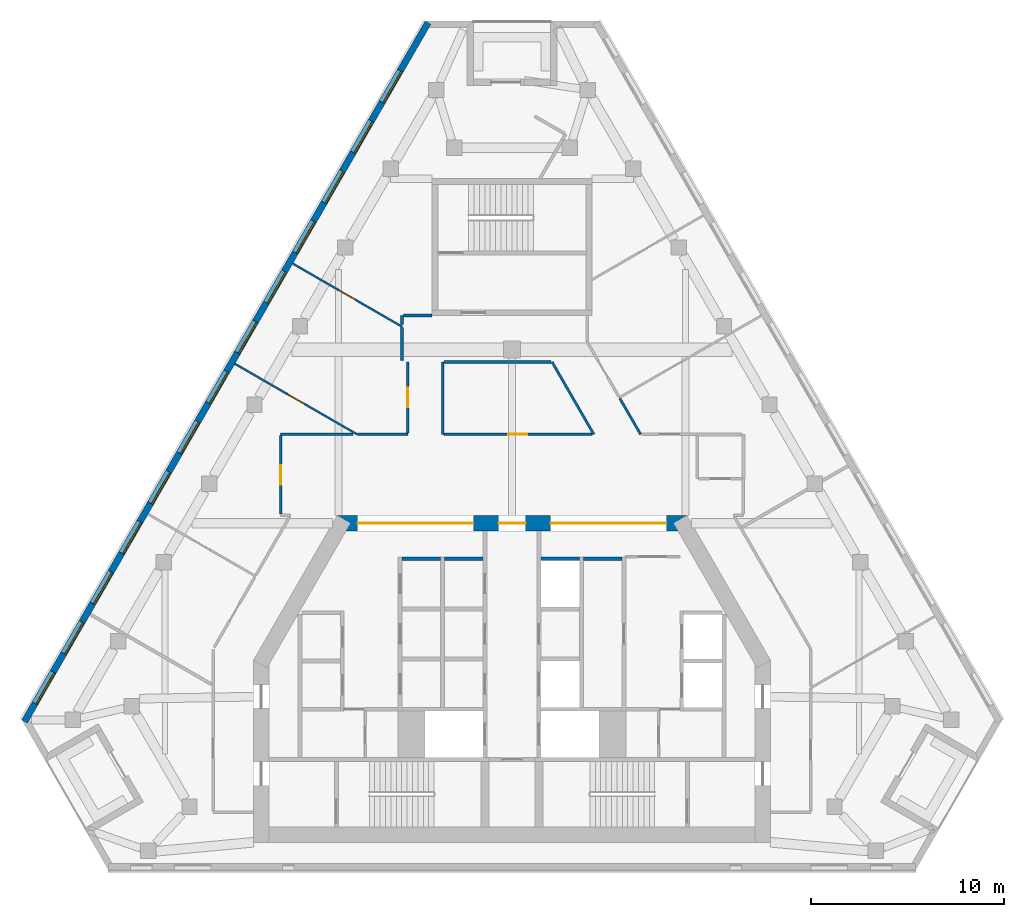
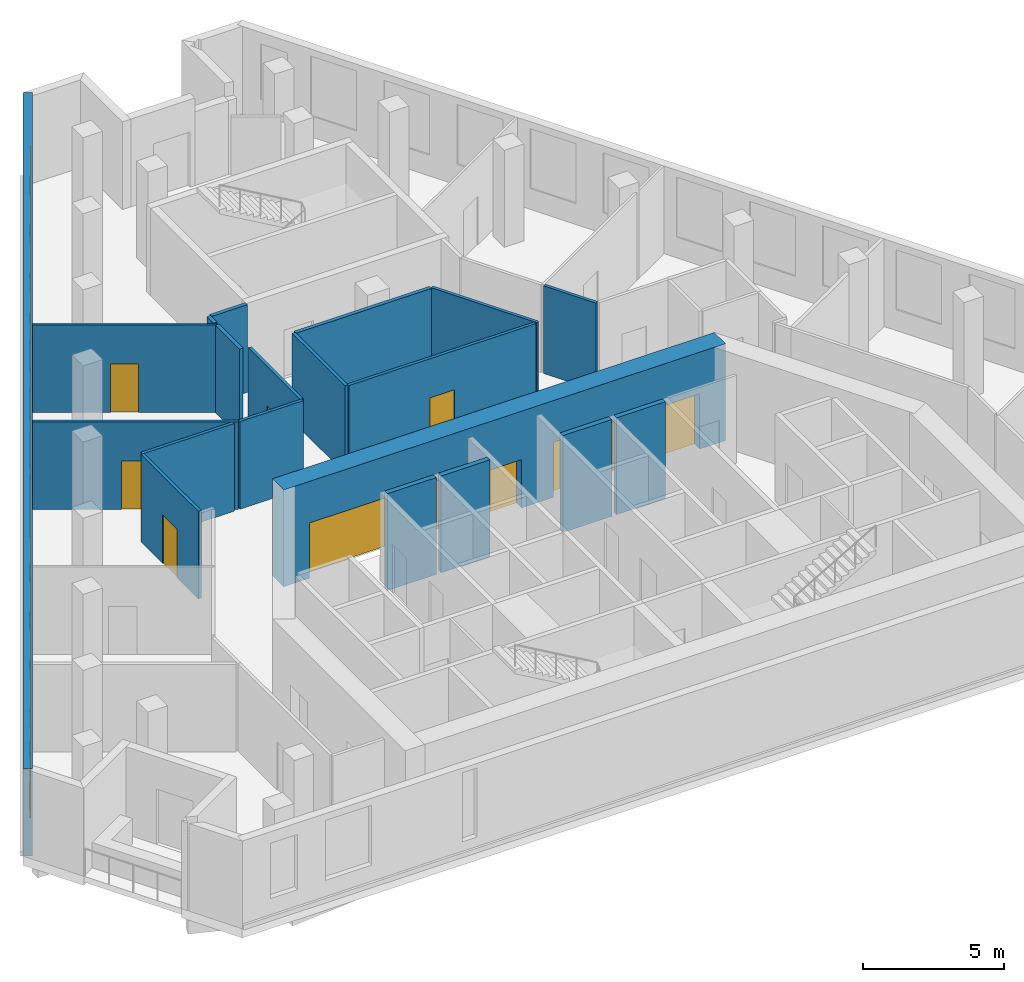
# One storey, part 4 of 9: 20 walls, 13 windows, 8 doors, 21 openings.
"""IFC4 building model written with IfcOpenShell, lengths in metres."""

from ifc_helpers import new_model, si_unit, direction, frame, frame_2d, origin, place, context, subcontext, project, spatial, rectangle, extrude, material, layer, layer_set, type_object, element, fill, save


model = new_model("IFC4")

# Units and contexts
model_context = context("Model", 3, precision=1e-05, world=origin(), true_north=direction((0.0, 1.0)))
body_context = subcontext(model_context, "Body", "Model", "MODEL_VIEW")
ifc_project = project(units=[si_unit("LENGTHUNIT", "METRE"), si_unit("AREAUNIT", "SQUARE_METRE"), si_unit("VOLUMEUNIT", "CUBIC_METRE"), si_unit("PLANEANGLEUNIT", "RADIAN"), si_unit("MASSUNIT", "GRAM", prefix="KILO")], contexts=[model_context])

# Site, building, storey
site_placement = place(None, origin())
site = spatial("IfcSite", under=ifc_project, at=site_placement, CompositionType="ELEMENT")
building_placement = place(site_placement, origin())
building = spatial("IfcBuilding", under=site, at=building_placement, Name="Fogline Exchange Tower", CompositionType="ELEMENT")
storey_placement = place(building_placement, frame((0.0, 0.0, 279.300048828125)))
storey = spatial("IfcBuildingStorey", under=building, at=storey_placement, Name="L63", CompositionType="ELEMENT", Elevation=279.300048828125)

# Walls
ifc_material_1 = material(Name="Concrete C40", Category="concrete")
ifc_layer_1 = layer(ifc_material_1, 0.199951171875)
ifc_layer_set_1 = layer_set([ifc_layer_1], Name="CW20S")
wall_type_1 = type_object("IfcWallType", Name="CW20S", PredefinedType="SOLIDWALL", material=ifc_layer_set_1)
for number, where, z_axis, x_axis, name in (
    (1, (-5.699951171875, 16.14990234375, -0.400146484375), (0.0, 0.0, 1.0), (1.0, 0.0, 0.0), "Lift shaft wall"),
    (2, (-3.5, 16.14990234375, -0.400146484375), (0.0, 0.0, 1.0), (1.0, 0.0, 0.0), "Lift shaft wall"),
    (3, (3.699951171875, 16.14990234375, -0.400146484375), (0.0, 0.0, 1.0), (1.0, 0.0, 0.0), "Lift shaft wall"),
    (4, (1.5, 16.14990234375, -0.400146484375), (0.0, 0.0, 1.0), (1.0, 0.0, 0.0), "Lift shaft wall"),
):
    element("IfcWall", number, at=place(storey_placement, frame(where, z_axis=z_axis, x_axis=x_axis)), inside=storey, type_object=wall_type_1, Name=name, PredefinedType="SOLIDWALL", context=body_context, shape_type="SweptSolid", body=[
        extrude(rectangle(XDim=2.0, YDim=0.199951171875, at=frame_2d((1.0, 0.0))), origin(), (0.0, 0.0, 1.0), 4.2001953125),
    ])

# Wall, openings, windows
ifc_material_2 = material(Name="Brick masonry", Category="masonry")
ifc_layer_2 = layer(ifc_material_2, 0.340087890625)
ifc_layer_set_2 = layer_set([ifc_layer_2], Name="FW1")
wall_type_2 = type_object("IfcWallType", Name="FW1", PredefinedType="SOLIDWALL", material=ifc_layer_set_2)
wall_1_placement = place(storey_placement, frame((-4.352783203125, 43.95166015625, 0.0), z_axis=(0.0, 0.0, 1.0), x_axis=(-0.499999693239, -0.866025580893, 0.0)))
wall_1 = element("IfcWall", 5, at=wall_1_placement, inside=storey, type_object=wall_type_2, Name="Brick wall L63 W", PredefinedType="SOLIDWALL", context=body_context, shape_type="SweptSolid", body=[
    extrude(rectangle(XDim=41.84912109375, YDim=0.340087890625, at=frame_2d((20.924560546875, 0.0))), origin(), (0.0, 0.0, 1.0), 3.800048828125),
])
opening_1_placement = place(wall_1_placement, frame((2.886962890625, 0.0, 0.89990234375)))
opening_1 = element("IfcOpeningElement", 6, at=opening_1_placement, cuts=wall_1, Name="Opening W3", PredefinedType="OPENING", context=body_context, shape_type="SweptSolid", body=[
    extrude(rectangle(XDim=1.885009765625, YDim=2.60009765625, at=frame_2d((0.9423828125, 1.300048828125))), frame((0.0, 0.18017578125, 0.0), z_axis=(0.0, -1.0, 0.0), x_axis=(1.0, 0.0, 0.0)), (0.0, 0.0, 1.0), 0.360107421875),
])
opening_2_placement = place(wall_1_placement, frame((5.886962890625, 0.0, 0.89990234375)))
opening_2 = element("IfcOpeningElement", 7, at=opening_2_placement, cuts=wall_1, Name="Opening W3", PredefinedType="OPENING", context=body_context, shape_type="SweptSolid", body=[
    extrude(rectangle(XDim=1.885009765625, YDim=2.60009765625, at=frame_2d((0.9423828125, 1.300048828125))), frame((0.0, 0.18017578125, 0.0), z_axis=(0.0, -1.0, 0.0), x_axis=(1.0, 0.0, 0.0)), (0.0, 0.0, 1.0), 0.360107421875),
])
opening_3_placement = place(wall_1_placement, frame((8.886962890625, 0.0, 0.89990234375)))
opening_3 = element("IfcOpeningElement", 8, at=opening_3_placement, cuts=wall_1, Name="Opening W3", PredefinedType="OPENING", context=body_context, shape_type="SweptSolid", body=[
    extrude(rectangle(XDim=1.885009765625, YDim=2.60009765625, at=frame_2d((0.9423828125, 1.300048828125))), frame((0.0, 0.18017578125, 0.0), z_axis=(0.0, -1.0, 0.0), x_axis=(1.0, 0.0, 0.0)), (0.0, 0.0, 1.0), 0.360107421875),
])
opening_4_placement = place(wall_1_placement, frame((11.886962890625, 0.0, 0.89990234375)))
opening_4 = element("IfcOpeningElement", 9, at=opening_4_placement, cuts=wall_1, Name="Opening W3", PredefinedType="OPENING", context=body_context, shape_type="SweptSolid", body=[
    extrude(rectangle(XDim=1.885009765625, YDim=2.60009765625, at=frame_2d((0.9423828125, 1.300048828125))), frame((0.0, 0.18017578125, 0.0), z_axis=(0.0, -1.0, 0.0), x_axis=(1.0, 0.0, 0.0)), (0.0, 0.0, 1.0), 0.360107421875),
])
opening_5_placement = place(wall_1_placement, frame((14.886962890625, 0.0, 0.89990234375)))
opening_5 = element("IfcOpeningElement", 10, at=opening_5_placement, cuts=wall_1, Name="Opening W3", PredefinedType="OPENING", context=body_context, shape_type="SweptSolid", body=[
    extrude(rectangle(XDim=1.885009765625, YDim=2.60009765625, at=frame_2d((0.9423828125, 1.300048828125))), frame((0.0, 0.18017578125, 0.0), z_axis=(0.0, -1.0, 0.0), x_axis=(1.0, 0.0, 0.0)), (0.0, 0.0, 1.0), 0.360107421875),
])
opening_6_placement = place(wall_1_placement, frame((17.886962890625, 0.0, 0.89990234375)))
opening_6 = element("IfcOpeningElement", 11, at=opening_6_placement, cuts=wall_1, Name="Opening W3", PredefinedType="OPENING", context=body_context, shape_type="SweptSolid", body=[
    extrude(rectangle(XDim=1.885009765625, YDim=2.60009765625, at=frame_2d((0.9423828125, 1.300048828125))), frame((0.0, 0.18017578125, 0.0), z_axis=(0.0, -1.0, 0.0), x_axis=(1.0, 0.0, 0.0)), (0.0, 0.0, 1.0), 0.360107421875),
])
opening_7_placement = place(wall_1_placement, frame((20.886962890625, 0.0, 0.89990234375)))
opening_7 = element("IfcOpeningElement", 12, at=opening_7_placement, cuts=wall_1, Name="Opening W3", PredefinedType="OPENING", context=body_context, shape_type="SweptSolid", body=[
    extrude(rectangle(XDim=1.885009765625, YDim=2.60009765625, at=frame_2d((0.9423828125, 1.300048828125))), frame((0.0, 0.18017578125, 0.0), z_axis=(0.0, -1.0, 0.0), x_axis=(1.0, 0.0, 0.0)), (0.0, 0.0, 1.0), 0.360107421875),
])
opening_8_placement = place(wall_1_placement, frame((23.886962890625, 0.0, 0.89990234375)))
opening_8 = element("IfcOpeningElement", 13, at=opening_8_placement, cuts=wall_1, Name="Opening W3", PredefinedType="OPENING", context=body_context, shape_type="SweptSolid", body=[
    extrude(rectangle(XDim=1.885009765625, YDim=2.60009765625, at=frame_2d((0.9423828125, 1.300048828125))), frame((0.0, 0.18017578125, 0.0), z_axis=(0.0, -1.0, 0.0), x_axis=(1.0, 0.0, 0.0)), (0.0, 0.0, 1.0), 0.360107421875),
])
opening_9_placement = place(wall_1_placement, frame((26.886962890625, 0.0, 0.89990234375)))
opening_9 = element("IfcOpeningElement", 14, at=opening_9_placement, cuts=wall_1, Name="Opening W3", PredefinedType="OPENING", context=body_context, shape_type="SweptSolid", body=[
    extrude(rectangle(XDim=1.885009765625, YDim=2.60009765625, at=frame_2d((0.9423828125, 1.300048828125))), frame((0.0, 0.18017578125, 0.0), z_axis=(0.0, -1.0, 0.0), x_axis=(1.0, 0.0, 0.0)), (0.0, 0.0, 1.0), 0.360107421875),
])
opening_10_placement = place(wall_1_placement, frame((29.886962890625, 0.0, 0.89990234375)))
opening_10 = element("IfcOpeningElement", 15, at=opening_10_placement, cuts=wall_1, Name="Opening W3", PredefinedType="OPENING", context=body_context, shape_type="SweptSolid", body=[
    extrude(rectangle(XDim=1.885009765625, YDim=2.60009765625, at=frame_2d((0.9423828125, 1.300048828125))), frame((0.0, 0.18017578125, 0.0), z_axis=(0.0, -1.0, 0.0), x_axis=(1.0, 0.0, 0.0)), (0.0, 0.0, 1.0), 0.360107421875),
])
opening_11_placement = place(wall_1_placement, frame((32.886962890625, 0.0, 0.89990234375)))
opening_11 = element("IfcOpeningElement", 16, at=opening_11_placement, cuts=wall_1, Name="Opening W3", PredefinedType="OPENING", context=body_context, shape_type="SweptSolid", body=[
    extrude(rectangle(XDim=1.885009765625, YDim=2.60009765625, at=frame_2d((0.9423828125, 1.300048828125))), frame((0.0, 0.18017578125, 0.0), z_axis=(0.0, -1.0, 0.0), x_axis=(1.0, 0.0, 0.0)), (0.0, 0.0, 1.0), 0.360107421875),
])
opening_12_placement = place(wall_1_placement, frame((35.886962890625, 0.0, 0.89990234375)))
opening_12 = element("IfcOpeningElement", 17, at=opening_12_placement, cuts=wall_1, Name="Opening W3", PredefinedType="OPENING", context=body_context, shape_type="SweptSolid", body=[
    extrude(rectangle(XDim=1.885009765625, YDim=2.60009765625, at=frame_2d((0.9423828125, 1.300048828125))), frame((0.0, 0.18017578125, 0.0), z_axis=(0.0, -1.0, 0.0), x_axis=(1.0, 0.0, 0.0)), (0.0, 0.0, 1.0), 0.360107421875),
])
opening_13_placement = place(wall_1_placement, frame((38.886962890625, 0.0, 0.89990234375)))
opening_13 = element("IfcOpeningElement", 18, at=opening_13_placement, cuts=wall_1, Name="Opening W3", PredefinedType="OPENING", context=body_context, shape_type="SweptSolid", body=[
    extrude(rectangle(XDim=1.885009765625, YDim=2.60009765625, at=frame_2d((0.9423828125, 1.300048828125))), frame((0.0, 0.18017578125, 0.0), z_axis=(0.0, -1.0, 0.0), x_axis=(1.0, 0.0, 0.0)), (0.0, 0.0, 1.0), 0.360107421875),
])
ifc_material_3 = material(Name="Aluminium and glass", Category="aluminium")
window_type = type_object("IfcWindowType", Name="W3", PartitioningType="SINGLE_PANEL", PredefinedType="WINDOW", material=ifc_material_3)
window_1_placement = place(opening_1_placement, origin())
window_1 = element("IfcWindow", 19, at=window_1_placement, inside=storey, type_object=window_type, Name="W3 W3", OverallHeight=2.60009765625, OverallWidth=1.885009765625, PartitioningType="SINGLE_PANEL", PredefinedType="WINDOW", context=body_context, shape_type="SweptSolid", body=[
    extrude(rectangle(XDim=1.885009765625, YDim=2.60009765625, at=frame_2d((0.9423828125, 1.300048828125))), frame((0.0, 0.110107421875, 0.0), z_axis=(0.0, -1.0, 0.0), x_axis=(1.0, 0.0, 0.0)), (0.0, 0.0, 1.0), 0.06005859375),
])
fill(opening_1, window_1)
window_2_placement = place(opening_2_placement, origin())
window_2 = element("IfcWindow", 20, at=window_2_placement, inside=storey, type_object=window_type, Name="W3 W3", OverallHeight=2.60009765625, OverallWidth=1.885009765625, PartitioningType="SINGLE_PANEL", PredefinedType="WINDOW", context=body_context, shape_type="SweptSolid", body=[
    extrude(rectangle(XDim=1.885009765625, YDim=2.60009765625, at=frame_2d((0.9423828125, 1.300048828125))), frame((0.0, 0.110107421875, 0.0), z_axis=(0.0, -1.0, 0.0), x_axis=(1.0, 0.0, 0.0)), (0.0, 0.0, 1.0), 0.06005859375),
])
fill(opening_2, window_2)
window_3_placement = place(opening_3_placement, origin())
window_3 = element("IfcWindow", 21, at=window_3_placement, inside=storey, type_object=window_type, Name="W3 W3", OverallHeight=2.60009765625, OverallWidth=1.885009765625, PartitioningType="SINGLE_PANEL", PredefinedType="WINDOW", context=body_context, shape_type="SweptSolid", body=[
    extrude(rectangle(XDim=1.885009765625, YDim=2.60009765625, at=frame_2d((0.9423828125, 1.300048828125))), frame((0.0, 0.110107421875, 0.0), z_axis=(0.0, -1.0, 0.0), x_axis=(1.0, 0.0, 0.0)), (0.0, 0.0, 1.0), 0.06005859375),
])
fill(opening_3, window_3)
window_4_placement = place(opening_4_placement, origin())
window_4 = element("IfcWindow", 22, at=window_4_placement, inside=storey, type_object=window_type, Name="W3 W3", OverallHeight=2.60009765625, OverallWidth=1.885009765625, PartitioningType="SINGLE_PANEL", PredefinedType="WINDOW", context=body_context, shape_type="SweptSolid", body=[
    extrude(rectangle(XDim=1.885009765625, YDim=2.60009765625, at=frame_2d((0.9423828125, 1.300048828125))), frame((0.0, 0.110107421875, 0.0), z_axis=(0.0, -1.0, 0.0), x_axis=(1.0, 0.0, 0.0)), (0.0, 0.0, 1.0), 0.06005859375),
])
fill(opening_4, window_4)
window_5_placement = place(opening_5_placement, origin())
window_5 = element("IfcWindow", 23, at=window_5_placement, inside=storey, type_object=window_type, Name="W3 W3", OverallHeight=2.60009765625, OverallWidth=1.885009765625, PartitioningType="SINGLE_PANEL", PredefinedType="WINDOW", context=body_context, shape_type="SweptSolid", body=[
    extrude(rectangle(XDim=1.885009765625, YDim=2.60009765625, at=frame_2d((0.9423828125, 1.300048828125))), frame((0.0, 0.110107421875, 0.0), z_axis=(0.0, -1.0, 0.0), x_axis=(1.0, 0.0, 0.0)), (0.0, 0.0, 1.0), 0.06005859375),
])
fill(opening_5, window_5)
window_6_placement = place(opening_6_placement, origin())
window_6 = element("IfcWindow", 24, at=window_6_placement, inside=storey, type_object=window_type, Name="W3 W3", OverallHeight=2.60009765625, OverallWidth=1.885009765625, PartitioningType="SINGLE_PANEL", PredefinedType="WINDOW", context=body_context, shape_type="SweptSolid", body=[
    extrude(rectangle(XDim=1.885009765625, YDim=2.60009765625, at=frame_2d((0.9423828125, 1.300048828125))), frame((0.0, 0.110107421875, 0.0), z_axis=(0.0, -1.0, 0.0), x_axis=(1.0, 0.0, 0.0)), (0.0, 0.0, 1.0), 0.06005859375),
])
fill(opening_6, window_6)
window_7_placement = place(opening_7_placement, origin())
window_7 = element("IfcWindow", 25, at=window_7_placement, inside=storey, type_object=window_type, Name="W3 W3", OverallHeight=2.60009765625, OverallWidth=1.885009765625, PartitioningType="SINGLE_PANEL", PredefinedType="WINDOW", context=body_context, shape_type="SweptSolid", body=[
    extrude(rectangle(XDim=1.885009765625, YDim=2.60009765625, at=frame_2d((0.9423828125, 1.300048828125))), frame((0.0, 0.110107421875, 0.0), z_axis=(0.0, -1.0, 0.0), x_axis=(1.0, 0.0, 0.0)), (0.0, 0.0, 1.0), 0.06005859375),
])
fill(opening_7, window_7)
window_8_placement = place(opening_8_placement, origin())
window_8 = element("IfcWindow", 26, at=window_8_placement, inside=storey, type_object=window_type, Name="W3 W3", OverallHeight=2.60009765625, OverallWidth=1.885009765625, PartitioningType="SINGLE_PANEL", PredefinedType="WINDOW", context=body_context, shape_type="SweptSolid", body=[
    extrude(rectangle(XDim=1.885009765625, YDim=2.60009765625, at=frame_2d((0.9423828125, 1.300048828125))), frame((0.0, 0.110107421875, 0.0), z_axis=(0.0, -1.0, 0.0), x_axis=(1.0, 0.0, 0.0)), (0.0, 0.0, 1.0), 0.06005859375),
])
fill(opening_8, window_8)
window_9_placement = place(opening_9_placement, origin())
window_9 = element("IfcWindow", 27, at=window_9_placement, inside=storey, type_object=window_type, Name="W3 W3", OverallHeight=2.60009765625, OverallWidth=1.885009765625, PartitioningType="SINGLE_PANEL", PredefinedType="WINDOW", context=body_context, shape_type="SweptSolid", body=[
    extrude(rectangle(XDim=1.885009765625, YDim=2.60009765625, at=frame_2d((0.9423828125, 1.300048828125))), frame((0.0, 0.110107421875, 0.0), z_axis=(0.0, -1.0, 0.0), x_axis=(1.0, 0.0, 0.0)), (0.0, 0.0, 1.0), 0.06005859375),
])
fill(opening_9, window_9)
window_10_placement = place(opening_10_placement, origin())
window_10 = element("IfcWindow", 28, at=window_10_placement, inside=storey, type_object=window_type, Name="W3 W3", OverallHeight=2.60009765625, OverallWidth=1.885009765625, PartitioningType="SINGLE_PANEL", PredefinedType="WINDOW", context=body_context, shape_type="SweptSolid", body=[
    extrude(rectangle(XDim=1.885009765625, YDim=2.60009765625, at=frame_2d((0.9423828125, 1.300048828125))), frame((0.0, 0.110107421875, 0.0), z_axis=(0.0, -1.0, 0.0), x_axis=(1.0, 0.0, 0.0)), (0.0, 0.0, 1.0), 0.06005859375),
])
fill(opening_10, window_10)
window_11_placement = place(opening_11_placement, origin())
window_11 = element("IfcWindow", 29, at=window_11_placement, inside=storey, type_object=window_type, Name="W3 W3", OverallHeight=2.60009765625, OverallWidth=1.885009765625, PartitioningType="SINGLE_PANEL", PredefinedType="WINDOW", context=body_context, shape_type="SweptSolid", body=[
    extrude(rectangle(XDim=1.885009765625, YDim=2.60009765625, at=frame_2d((0.9423828125, 1.300048828125))), frame((0.0, 0.110107421875, 0.0), z_axis=(0.0, -1.0, 0.0), x_axis=(1.0, 0.0, 0.0)), (0.0, 0.0, 1.0), 0.06005859375),
])
fill(opening_11, window_11)
window_12_placement = place(opening_12_placement, origin())
window_12 = element("IfcWindow", 30, at=window_12_placement, inside=storey, type_object=window_type, Name="W3 W3", OverallHeight=2.60009765625, OverallWidth=1.885009765625, PartitioningType="SINGLE_PANEL", PredefinedType="WINDOW", context=body_context, shape_type="SweptSolid", body=[
    extrude(rectangle(XDim=1.885009765625, YDim=2.60009765625, at=frame_2d((0.9423828125, 1.300048828125))), frame((0.0, 0.110107421875, 0.0), z_axis=(0.0, -1.0, 0.0), x_axis=(1.0, 0.0, 0.0)), (0.0, 0.0, 1.0), 0.06005859375),
])
fill(opening_12, window_12)
window_13_placement = place(opening_13_placement, origin())
window_13 = element("IfcWindow", 31, at=window_13_placement, inside=storey, type_object=window_type, Name="W3 W3", OverallHeight=2.60009765625, OverallWidth=1.885009765625, PartitioningType="SINGLE_PANEL", PredefinedType="WINDOW", context=body_context, shape_type="SweptSolid", body=[
    extrude(rectangle(XDim=1.885009765625, YDim=2.60009765625, at=frame_2d((0.9423828125, 1.300048828125))), frame((0.0, 0.110107421875, 0.0), z_axis=(0.0, -1.0, 0.0), x_axis=(1.0, 0.0, 0.0)), (0.0, 0.0, 1.0), 0.06005859375),
])
fill(opening_13, window_13)

# Wall, opening, door
ifc_material_4 = material(Name="Plasterboard partition, 2 layers each side on steel studs", Category="steel")
ifc_layer_3 = layer(ifc_material_4, 0.10009765625)
ifc_layer_set_3 = layer_set([ifc_layer_3], Name="PW1")
wall_type_3 = type_object("IfcWallType", Name="PW1", PredefinedType="PARTITIONING", material=ifc_layer_set_3)
wall_2_placement = place(storey_placement, frame((-5.699951171875, 28.183349609375, 0.0), z_axis=(0.0, 0.0, 1.0), x_axis=(-0.86602475796, 0.5000011186, 0.0)))
wall_2 = element("IfcWall", 32, at=wall_2_placement, inside=storey, type_object=wall_type_3, Name="wall-L63-W041", PredefinedType="PARTITIONING", context=body_context, shape_type="SweptSolid", body=[
    extrude(rectangle(XDim=6.54736328125, YDim=0.10009765625, at=frame_2d((3.273681640625, 0.0))), origin(), (0.0, 0.0, 1.0), 3.800048828125),
])
opening_14_placement = place(wall_2_placement, frame((2.773681640625, 0.0, 0.0)))
opening_14 = element("IfcOpeningElement", 33, at=opening_14_placement, cuts=wall_2, Name="Opening T20-D013", PredefinedType="OPENING", context=body_context, shape_type="SweptSolid", body=[
    extrude(rectangle(XDim=1.0, YDim=2.10009765625, at=frame_2d((0.5, 1.050048828125))), frame((0.0, 0.06005859375, 0.0), z_axis=(0.0, -1.0, 0.0), x_axis=(1.0, 0.0, 0.0)), (0.0, 0.0, 1.0), 0.1201171875),
])
ifc_material_5 = material(Name="Timber door leaf with steel frame", Category="steel")
door_type_1 = type_object("IfcDoorType", Name="D1", OperationType="SINGLE_SWING_LEFT", PredefinedType="DOOR", material=ifc_material_5)
door_1_placement = place(opening_14_placement, origin())
door_1 = element("IfcDoor", 34, at=door_1_placement, inside=storey, type_object=door_type_1, Name="door-L63-D013", OperationType="SINGLE_SWING_LEFT", OverallHeight=2.10009765625, OverallWidth=1.0, PredefinedType="DOOR", context=body_context, shape_type="SweptSolid", body=[
    extrude(rectangle(XDim=1.0, YDim=2.10009765625, at=frame_2d((0.5, 1.050048828125))), frame((0.0, 0.02490234375, 0.0), z_axis=(0.0, -1.0, 0.0), x_axis=(1.0, 0.0, 0.0)), (0.0, 0.0, 1.0), 0.050048828125),
])
fill(opening_14, door_1)

wall_3_placement = place(storey_placement, frame((-8.029296875, 22.60009765625, 0.0), z_axis=(0.0, 0.0, 1.0), x_axis=(-0.866024554669, 0.500001470709, 0.0)))
wall_3 = element("IfcWall", 35, at=wall_3_placement, inside=storey, type_object=wall_type_3, Name="wall-L63-W042", PredefinedType="PARTITIONING", context=body_context, shape_type="SweptSolid", body=[
    extrude(rectangle(XDim=7.32177734375, YDim=0.10009765625, at=frame_2d((3.660888671875, 0.0))), origin(), (0.0, 0.0, 1.0), 3.800048828125),
])
opening_15_placement = place(wall_3_placement, frame((3.160888671875, 0.0, 0.0)))
opening_15 = element("IfcOpeningElement", 36, at=opening_15_placement, cuts=wall_3, Name="Opening T20-D014", PredefinedType="OPENING", context=body_context, shape_type="SweptSolid", body=[
    extrude(rectangle(XDim=1.0, YDim=2.10009765625, at=frame_2d((0.5, 1.050048828125))), frame((0.0, 0.06005859375, 0.0), z_axis=(0.0, -1.0, 0.0), x_axis=(1.0, 0.0, 0.0)), (0.0, 0.0, 1.0), 0.1201171875),
])
door_2_placement = place(opening_15_placement, frame((1.0, 0.0, 0.0), z_axis=(0.0, 0.0, 1.0), x_axis=(-1.0, 0.0, 0.0)))
door_2 = element("IfcDoor", 37, at=door_2_placement, inside=storey, type_object=door_type_1, Name="door-L63-D014", OperationType="SINGLE_SWING_LEFT", OverallHeight=2.10009765625, OverallWidth=1.0, PredefinedType="DOOR", context=body_context, shape_type="SweptSolid", body=[
    extrude(rectangle(XDim=1.0, YDim=2.10009765625, at=frame_2d((0.5, 1.050048828125))), frame((0.0, 0.02490234375, 0.0), z_axis=(0.0, -1.0, 0.0), x_axis=(1.0, 0.0, 0.0)), (0.0, 0.0, 1.0), 0.050048828125),
])
fill(opening_15, door_2)

ifc_material_6 = material(Name="Plasterboard corridor partition with mineral wool, 2 layers each side")
ifc_layer_4 = layer(ifc_material_6, 0.125)
ifc_layer_set_4 = layer_set([ifc_layer_4], Name="PW2")
wall_type_4 = type_object("IfcWallType", Name="PW2", PredefinedType="PARTITIONING", material=ifc_layer_set_4)
wall_4_placement = place(storey_placement, frame((-3.53759765625, 22.60009765625, 0.0), z_axis=(0.0, 0.0, 1.0), x_axis=(1.0, 0.0, 0.0)))
wall_4 = element("IfcWall", 38, at=wall_4_placement, inside=storey, type_object=wall_type_4, Name="wall-L63-W011", PredefinedType="PARTITIONING", context=body_context, shape_type="SweptSolid", body=[
    extrude(rectangle(XDim=7.6728515625, YDim=0.125, at=frame_2d((3.83642578125, 0.0))), origin(), (0.0, 0.0, 1.0), 3.800048828125),
])
opening_16_placement = place(wall_4_placement, frame((3.33642578125, 0.0, 0.0)))
opening_16 = element("IfcOpeningElement", 39, at=opening_16_placement, cuts=wall_4, Name="Opening T20-D005", PredefinedType="OPENING", context=body_context, shape_type="SweptSolid", body=[
    extrude(rectangle(XDim=1.0, YDim=2.10009765625, at=frame_2d((0.5, 1.050048828125))), frame((0.0, 0.072509765625, 0.0), z_axis=(0.0, -1.0, 0.0), x_axis=(1.0, 0.0, 0.0)), (0.0, 0.0, 1.0), 0.14501953125),
])
ifc_material_7 = material(Name="Fire-rated timber door leaf with steel frame", Category="steel")
door_type_2 = type_object("IfcDoorType", Name="D3", OperationType="SINGLE_SWING_LEFT", PredefinedType="DOOR", material=ifc_material_7)
door_3_placement = place(opening_16_placement, origin())
door_3 = element("IfcDoor", 40, at=door_3_placement, inside=storey, type_object=door_type_2, Name="door-L63-D005", OperationType="SINGLE_SWING_LEFT", OverallHeight=2.10009765625, OverallWidth=1.0, PredefinedType="DOOR", context=body_context, shape_type="SweptSolid", body=[
    extrude(rectangle(XDim=1.0, YDim=2.10009765625, at=frame_2d((0.5, 1.050048828125))), frame((0.0, 0.02490234375, 0.0), z_axis=(0.0, -1.0, 0.0), x_axis=(1.0, 0.0, 0.0)), (0.0, 0.0, 1.0), 0.050048828125),
])
fill(opening_16, door_3)

# Wall
wall_5_placement = place(storey_placement, frame((-8.00390625, 22.60009765625, 0.0), z_axis=(0.0, 0.0, 1.0), x_axis=(1.0, 0.0, 0.0)))
element("IfcWall", 41, at=wall_5_placement, inside=storey, type_object=wall_type_4, Name="wall-L63-W012", PredefinedType="PARTITIONING", context=body_context, shape_type="SweptSolid", body=[
    extrude(rectangle(XDim=2.60400390625, YDim=0.125, at=frame_2d((1.302001953125, 0.0))), origin(), (0.0, 0.0, 1.0), 3.800048828125),
])

# Wall, opening, door
wall_6_placement = place(storey_placement, frame((-12.0, 18.46240234375, 0.0), z_axis=(0.0, 0.0, 1.0), x_axis=(0.0, 1.0, 0.0)))
wall_6 = element("IfcWall", 42, at=wall_6_placement, inside=storey, type_object=wall_type_4, Name="wall-L63-W014", PredefinedType="PARTITIONING", context=body_context, shape_type="SweptSolid", body=[
    extrude(rectangle(XDim=4.0751953125, YDim=0.125, at=frame_2d((2.03759765625, 0.0))), origin(), (0.0, 0.0, 1.0), 3.800048828125),
])
opening_17_placement = place(wall_6_placement, frame((1.53759765625, 0.0, 0.0)))
opening_17 = element("IfcOpeningElement", 43, at=opening_17_placement, cuts=wall_6, Name="Opening T20-D006", PredefinedType="OPENING", context=body_context, shape_type="SweptSolid", body=[
    extrude(rectangle(XDim=1.0, YDim=2.10009765625, at=frame_2d((0.5, 1.050048828125))), frame((0.0, 0.072509765625, 0.0), z_axis=(0.0, -1.0, 0.0), x_axis=(1.0, 0.0, 0.0)), (0.0, 0.0, 1.0), 0.14501953125),
])
door_4_placement = place(opening_17_placement, origin())
door_4 = element("IfcDoor", 44, at=door_4_placement, inside=storey, type_object=door_type_2, Name="door-L63-D006", OperationType="SINGLE_SWING_LEFT", OverallHeight=2.10009765625, OverallWidth=1.0, PredefinedType="DOOR", context=body_context, shape_type="SweptSolid", body=[
    extrude(rectangle(XDim=1.0, YDim=2.10009765625, at=frame_2d((0.5, 1.050048828125))), frame((0.0, 0.02490234375, 0.0), z_axis=(0.0, -1.0, 0.0), x_axis=(1.0, 0.0, 0.0)), (0.0, 0.0, 1.0), 0.050048828125),
])
fill(opening_17, door_4)

# Walls
wall_7_placement = place(storey_placement, frame((-12.0, 22.60009765625, 0.0), z_axis=(0.0, 0.0, 1.0), x_axis=(1.0, 0.0, 0.0)))
element("IfcWall", 45, at=wall_7_placement, inside=storey, type_object=wall_type_4, Name="wall-L63-W015", PredefinedType="PARTITIONING", context=body_context, shape_type="SweptSolid", body=[
    extrude(rectangle(XDim=3.761962890625, YDim=0.125, at=frame_2d((1.880859375, 0.0))), origin(), (0.0, 0.0, 1.0), 3.800048828125),
])
wall_8_placement = place(storey_placement, frame((-3.60009765625, 26.35693359375, 0.0), z_axis=(0.0, 0.0, 1.0), x_axis=(0.0, -1.0, 0.0)))
element("IfcWall", 46, at=wall_8_placement, inside=storey, type_object=wall_type_4, Name="wall-L63-W026", PredefinedType="PARTITIONING", context=body_context, shape_type="SweptSolid", body=[
    extrude(rectangle(XDim=3.7568359375, YDim=0.125, at=frame_2d((1.87841796875, 0.0))), origin(), (0.0, 0.0, 1.0), 3.800048828125),
])

# Wall, opening, door
wall_9_placement = place(storey_placement, frame((-5.39990234375, 22.66259765625, 0.0), z_axis=(0.0, 0.0, 1.0), x_axis=(0.0, 1.0, 0.0)))
wall_9 = element("IfcWall", 47, at=wall_9_placement, inside=storey, type_object=wall_type_4, Name="wall-L63-W027", PredefinedType="PARTITIONING", context=body_context, shape_type="SweptSolid", body=[
    extrude(rectangle(XDim=3.6943359375, YDim=0.125, at=frame_2d((1.84716796875, 0.0))), origin(), (0.0, 0.0, 1.0), 3.800048828125),
])
opening_18_placement = place(wall_9_placement, frame((1.34716796875, 0.0, 0.0)))
opening_18 = element("IfcOpeningElement", 48, at=opening_18_placement, cuts=wall_9, Name="Opening T20-D009", PredefinedType="OPENING", context=body_context, shape_type="SweptSolid", body=[
    extrude(rectangle(XDim=1.0, YDim=2.10009765625, at=frame_2d((0.5, 1.050048828125))), frame((0.0, 0.072509765625, 0.0), z_axis=(0.0, -1.0, 0.0), x_axis=(1.0, 0.0, 0.0)), (0.0, 0.0, 1.0), 0.14501953125),
])
door_5_placement = place(opening_18_placement, origin())
door_5 = element("IfcDoor", 49, at=door_5_placement, inside=storey, type_object=door_type_2, Name="door-L63-D009", OperationType="SINGLE_SWING_LEFT", OverallHeight=2.10009765625, OverallWidth=1.0, PredefinedType="DOOR", context=body_context, shape_type="SweptSolid", body=[
    extrude(rectangle(XDim=1.0, YDim=2.10009765625, at=frame_2d((0.5, 1.050048828125))), frame((0.0, 0.02490234375, 0.0), z_axis=(0.0, -1.0, 0.0), x_axis=(1.0, 0.0, 0.0)), (0.0, 0.0, 1.0), 0.050048828125),
])
fill(opening_18, door_5)

# Walls
wall_10_placement = place(storey_placement, frame((5.591796875, 24.4658203125, 0.0), z_axis=(0.0, 0.0, 1.0), x_axis=(0.499990586292, -0.866030838723, 0.0)))
element("IfcWall", 50, at=wall_10_placement, inside=storey, type_object=wall_type_4, Name="wall-L63-W028", PredefinedType="PARTITIONING", context=body_context, shape_type="SweptSolid", body=[
    extrude(rectangle(XDim=2.154296875, YDim=0.125, at=frame_2d((1.0771484375, 0.0))), origin(), (0.0, 0.0, 1.0), 3.800048828125),
])
wall_11_placement = place(storey_placement, frame((4.243896484375, 22.60009765625, 0.0), z_axis=(0.0, 0.0, 1.0), x_axis=(-0.499988774596, 0.866031884678, 0.0)))
element("IfcWall", 51, at=wall_11_placement, inside=storey, type_object=wall_type_4, Name="wall-L63-W030", PredefinedType="PARTITIONING", context=body_context, shape_type="SweptSolid", body=[
    extrude(rectangle(XDim=4.337890625, YDim=0.125, at=frame_2d((2.1689453125, 0.0))), origin(), (0.0, 0.0, 1.0), 3.800048828125),
])
ifc_material_8 = material(Name="Plasterboard stair lobby partition, 3 layers each side on steel studs", Category="steel")
ifc_layer_5 = layer(ifc_material_8, 0.14990234375)
ifc_layer_set_5 = layer_set([ifc_layer_5], Name="PW4")
wall_type_5 = type_object("IfcWallType", Name="PW4", PredefinedType="PARTITIONING", material=ifc_layer_set_5)
wall_12_placement = place(storey_placement, frame((2.02099609375, 26.35693359375, 0.0), z_axis=(0.0, 0.0, 1.0), x_axis=(-1.0, 0.0, 0.0)))
element("IfcWall", 52, at=wall_12_placement, inside=storey, type_object=wall_type_5, Name="wall-L63-W022", PredefinedType="PARTITIONING", context=body_context, shape_type="SweptSolid", body=[
    extrude(rectangle(XDim=5.55859375, YDim=0.14990234375, at=frame_2d((2.779296875, 0.0))), origin(), (0.0, 0.0, 1.0), 3.800048828125),
])
wall_13_placement = place(storey_placement, frame((-5.699951171875, 28.284912109375, 0.0), z_axis=(0.0, 0.0, 1.0), x_axis=(0.0, 1.0, 0.0)))
element("IfcWall", 53, at=wall_13_placement, inside=storey, type_object=wall_type_5, Name="wall-L63-W023", PredefinedType="PARTITIONING", context=body_context, shape_type="SweptSolid", body=[
    extrude(rectangle(XDim=0.47216796875, YDim=0.14990234375, at=frame_2d((0.236083984375, 0.0))), origin(), (0.0, 0.0, 1.0), 3.800048828125),
])
wall_14_placement = place(storey_placement, frame((-5.625, 28.757080078125, 0.0), z_axis=(0.0, 0.0, 1.0), x_axis=(1.0, 0.0, 0.0)))
element("IfcWall", 54, at=wall_14_placement, inside=storey, type_object=wall_type_5, Name="wall-L63-W024", PredefinedType="PARTITIONING", context=body_context, shape_type="SweptSolid", body=[
    extrude(rectangle(XDim=1.47509765625, YDim=0.14990234375, at=frame_2d((0.737548828125, 0.0))), origin(), (0.0, 0.0, 1.0), 3.800048828125),
])
wall_15_placement = place(storey_placement, frame((-5.699951171875, 26.431884765625, 0.0), z_axis=(0.0, 0.0, 1.0), x_axis=(0.0, 1.0, 0.0)))
element("IfcWall", 55, at=wall_15_placement, inside=storey, type_object=wall_type_5, Name="wall-L63-W025", PredefinedType="PARTITIONING", context=body_context, shape_type="SweptSolid", body=[
    extrude(rectangle(XDim=1.707763671875, YDim=0.14990234375, at=frame_2d((0.85400390625, 0.0))), origin(), (0.0, 0.0, 1.0), 3.800048828125),
])

# Wall, openings, doors
ifc_material_9 = material(Name="Concrete C50", Category="concrete")
ifc_layer_6 = layer(ifc_material_9, 0.800048828125)
ifc_layer_set_6 = layer_set([ifc_layer_6], Name="SW04")
wall_type_6 = type_object("IfcWallType", Name="SW04", PredefinedType="SHEAR", material=ifc_layer_set_6)
wall_16_placement = place(storey_placement, frame((9.065185546875, 18.0, 0.0), z_axis=(0.0, 0.0, 1.0), x_axis=(-1.0, 0.0, 0.0)))
wall_16 = element("IfcWall", 56, at=wall_16_placement, inside=storey, type_object=wall_type_6, Name="L63-W904", PredefinedType="SHEAR", context=body_context, shape_type="SweptSolid", body=[
    extrude(rectangle(XDim=18.13037109375, YDim=0.800048828125, at=frame_2d((9.065185546875, 0.0))), origin(), (0.0, 0.0, 1.0), 4.199951171875),
])
opening_19_placement = place(wall_16_placement, frame((8.364990234375, 0.0, 0.0)))
opening_19 = element("IfcOpeningElement", 57, at=opening_19_placement, cuts=wall_16, Name="Opening T20-C023", PredefinedType="OPENING", context=body_context, shape_type="SweptSolid", body=[
    extrude(rectangle(XDim=1.39990234375, YDim=2.10009765625, at=frame_2d((0.699951171875, 1.050048828125))), frame((0.0, 0.41015625, 0.0), z_axis=(0.0, -1.0, 0.0), x_axis=(1.0, 0.0, 0.0)), (0.0, 0.0, 1.0), 0.820068359375),
])
opening_20_placement = place(wall_16_placement, frame((11.065185546875, 0.0, 0.0)))
opening_20 = element("IfcOpeningElement", 58, at=opening_20_placement, cuts=wall_16, Name="Opening T20-C024", PredefinedType="OPENING", context=body_context, shape_type="SweptSolid", body=[
    extrude(rectangle(XDim=6.0, YDim=2.39990234375, at=frame_2d((3.0, 1.199951171875))), frame((0.0, 0.41015625, 0.0), z_axis=(0.0, -1.0, 0.0), x_axis=(1.0, 0.0, 0.0)), (0.0, 0.0, 1.0), 0.820068359375),
])
opening_21_placement = place(wall_16_placement, frame((1.065185546875, 0.0, 0.0)))
opening_21 = element("IfcOpeningElement", 59, at=opening_21_placement, cuts=wall_16, Name="Opening T20-C025", PredefinedType="OPENING", context=body_context, shape_type="SweptSolid", body=[
    extrude(rectangle(XDim=6.0, YDim=2.39990234375, at=frame_2d((3.0, 1.199951171875))), frame((0.0, 0.41015625, 0.0), z_axis=(0.0, -1.0, 0.0), x_axis=(1.0, 0.0, 0.0)), (0.0, 0.0, 1.0), 0.820068359375),
])
ifc_material_10 = material(Name="Steel and timber fire door", Category="steel")
door_type_3 = type_object("IfcDoorType", Name="D-LB1", OperationType="DOUBLE_DOOR_SINGLE_SWING", PredefinedType="DOOR", material=ifc_material_10)
door_6_placement = place(opening_19_placement, origin())
door_6 = element("IfcDoor", 60, at=door_6_placement, inside=storey, type_object=door_type_3, Name="Protected lobby door", OperationType="DOUBLE_DOOR_SINGLE_SWING", OverallHeight=2.10009765625, OverallWidth=1.39990234375, PredefinedType="DOOR", context=body_context, shape_type="SweptSolid", body=[
    extrude(rectangle(XDim=1.39990234375, YDim=2.10009765625, at=frame_2d((0.699951171875, 1.050048828125))), frame((0.0, 0.02490234375, 0.0), z_axis=(0.0, -1.0, 0.0), x_axis=(1.0, 0.0, 0.0)), (0.0, 0.0, 1.0), 0.050048828125),
])
fill(opening_19, door_6)
door_type_4 = type_object("IfcDoorType", Name="D-LE1", OperationType="DOUBLE_DOOR_SLIDING", PredefinedType="DOOR", material=ifc_material_10)
door_7_placement = place(opening_20_placement, origin())
door_7 = element("IfcDoor", 61, at=door_7_placement, inside=storey, type_object=door_type_4, Name="Lift lobby entrance west", OperationType="DOUBLE_DOOR_SLIDING", OverallHeight=2.39990234375, OverallWidth=6.0, PredefinedType="DOOR", context=body_context, shape_type="SweptSolid", body=[
    extrude(rectangle(XDim=6.0, YDim=2.39990234375, at=frame_2d((3.0, 1.199951171875))), frame((0.0, 0.02490234375, 0.0), z_axis=(0.0, -1.0, 0.0), x_axis=(1.0, 0.0, 0.0)), (0.0, 0.0, 1.0), 0.050048828125),
])
fill(opening_20, door_7)
door_8_placement = place(opening_21_placement, origin())
door_8 = element("IfcDoor", 62, at=door_8_placement, inside=storey, type_object=door_type_4, Name="Lift lobby entrance east", OperationType="DOUBLE_DOOR_SLIDING", OverallHeight=2.39990234375, OverallWidth=6.0, PredefinedType="DOOR", context=body_context, shape_type="SweptSolid", body=[
    extrude(rectangle(XDim=6.0, YDim=2.39990234375, at=frame_2d((3.0, 1.199951171875))), frame((0.0, 0.02490234375, 0.0), z_axis=(0.0, -1.0, 0.0), x_axis=(1.0, 0.0, 0.0)), (0.0, 0.0, 1.0), 0.050048828125),
])
fill(opening_21, door_8)

save(model, "model.ifc")
